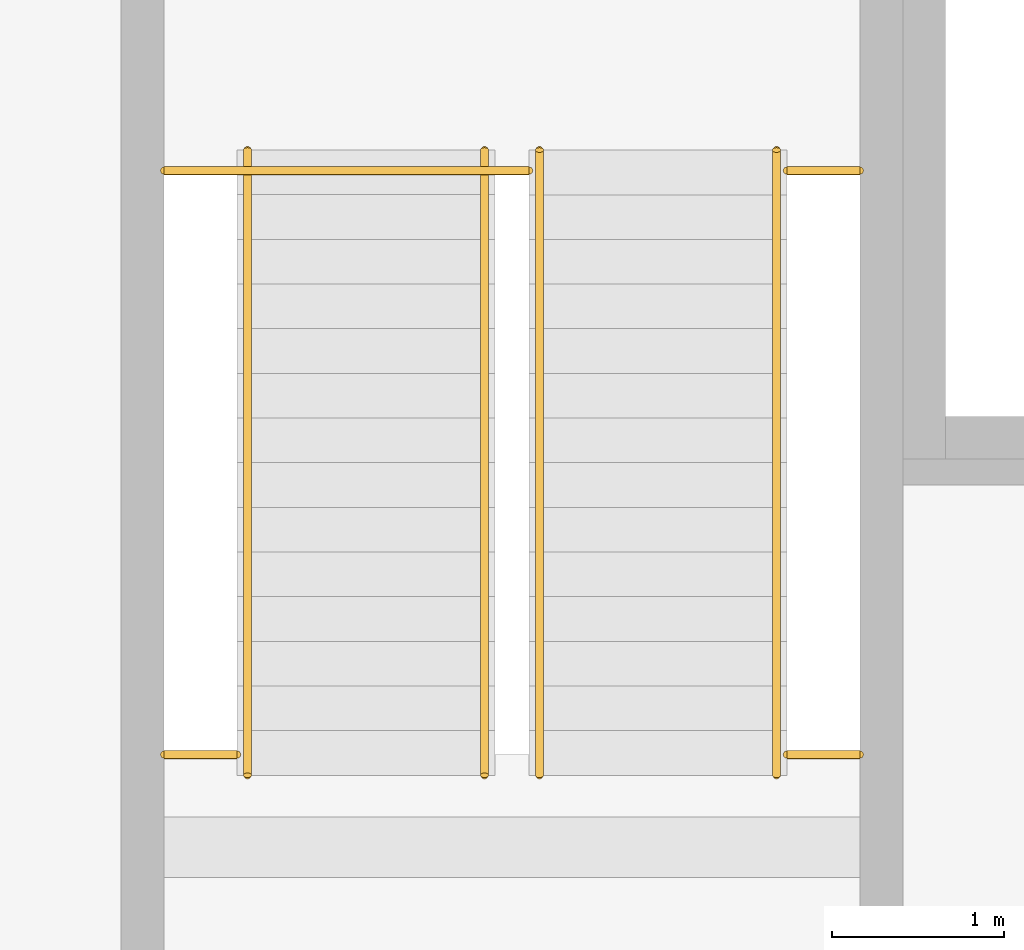
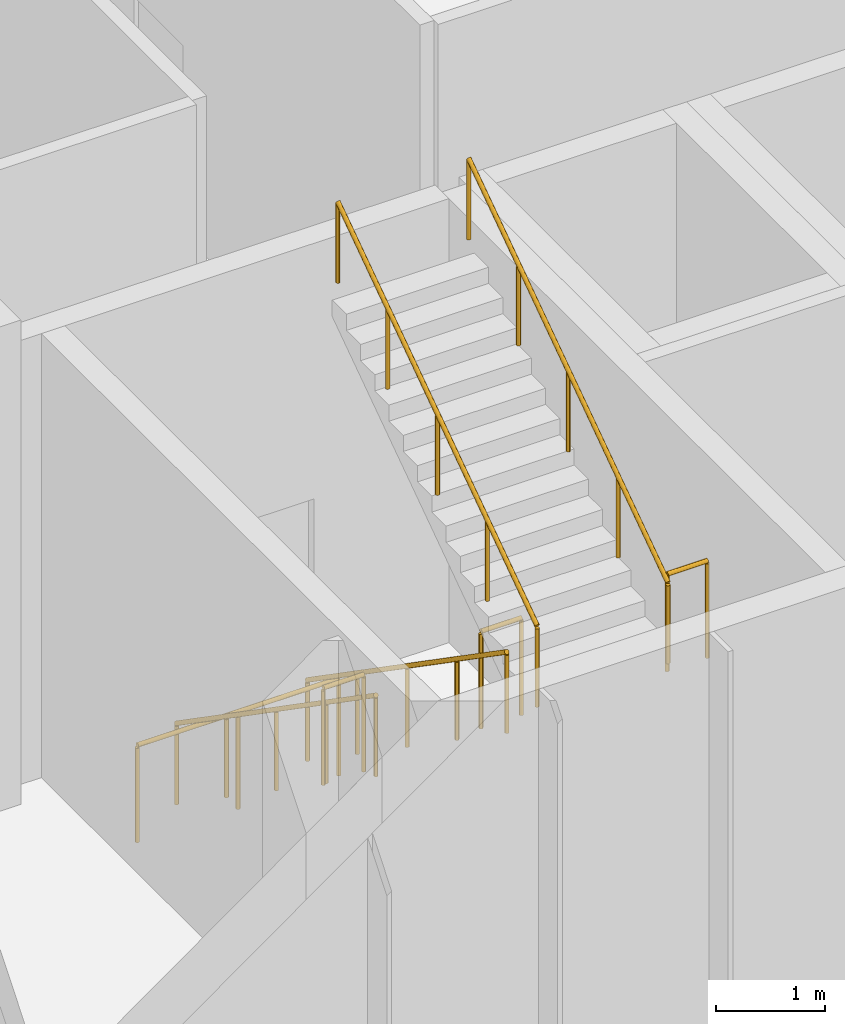
# One storey, part 36 of 38: 8 railings.
"""IFC4 building model written with IfcOpenShell, lengths in metres."""

from ifc_helpers import new_model, si_unit, direction, frame, origin, origin_2d, place, context, subcontext, project, spatial, circle, extrude, material, type_object, element, save


model = new_model("IFC4")

# Units and contexts
model_context = context("Model", 3, precision=1e-05, world=origin(), true_north=direction((0.0, 1.0)))
body_context = subcontext(model_context, "Body", "Model", "MODEL_VIEW")
ifc_project = project(units=[si_unit("LENGTHUNIT", "METRE"), si_unit("AREAUNIT", "SQUARE_METRE"), si_unit("VOLUMEUNIT", "CUBIC_METRE"), si_unit("PLANEANGLEUNIT", "RADIAN"), si_unit("MASSUNIT", "GRAM", prefix="KILO")], contexts=[model_context])

# Site, building, storey
site_placement = place(None, origin())
site = spatial("IfcSite", under=ifc_project, at=site_placement, CompositionType="ELEMENT")
building_placement = place(site_placement, origin())
building = spatial("IfcBuilding", under=site, at=building_placement, Name="Basin Gate Institute", CompositionType="ELEMENT")
storey_placement = place(building_placement, frame((0.0, 0.0, 16.800048828125)))
storey = spatial("IfcBuildingStorey", under=building, at=storey_placement, Name="L03", CompositionType="ELEMENT", Elevation=16.800048828125)

# Railings
ifc_material_1 = material(Name="Stainless steel tube and glass infill", Category="steel")
railing_type_1 = type_object("IfcRailingType", Name="Block railing 1100", PredefinedType="GUARDRAIL", material=ifc_material_1)
railing_placement = place(storey_placement, frame((134.52490234375, 75.85498046875, 0.0)))
element("IfcRailing", 1, at=railing_placement, inside=storey, type_object=railing_type_1, material=ifc_material_1, Name="Guard stairwell ST-C3 L03", PredefinedType="GUARDRAIL", context=body_context, shape_type="SweptSolid", body=[
    extrude(circle(Radius=0.02392578125, at=origin_2d()), frame((0.0, 0.0, 1.076171875), z_axis=(1.0, 0.0, 0.0), x_axis=(0.0, 1.0, 0.0)), (0.0, 0.0, 1.0), 2.125),
    extrude(circle(Radius=0.02099609375, at=origin_2d()), origin(), (0.0, 0.0, 1.0), 1.052001953125),
    extrude(circle(Radius=0.02099609375, at=origin_2d()), frame((1.0625, 0.0, 0.0)), (0.0, 0.0, 1.0), 1.052001953125),
    extrude(circle(Radius=0.02099609375, at=origin_2d()), frame((2.125, 0.0, 0.0)), (0.0, 0.0, 1.0), 1.052001953125),
])
for number, where, name in (
    (2, (138.14990234375, 75.85498046875, 0.0), "Guard stairwell ST-C3 L03 east"),
    (3, (134.52490234375, 72.455078125, 2.699951171875), "Guard stair landing ST-C4 L03"),
    (4, (138.14990234375, 72.455078125, 2.699951171875), "Guard stair landing ST-C4 L03"),
):
    element("IfcRailing", number, at=place(storey_placement, frame(where)), inside=storey, type_object=railing_type_1, material=ifc_material_1, Name=name, PredefinedType="GUARDRAIL", context=body_context, shape_type="SweptSolid", body=[
        extrude(circle(Radius=0.02392578125, at=origin_2d()), frame((0.0, 0.0, 1.076171875), z_axis=(1.0, 0.0, 0.0), x_axis=(0.0, 1.0, 0.0)), (0.0, 0.0, 1.0), 0.425048828125),
        extrude(circle(Radius=0.02099609375, at=origin_2d()), origin(), (0.0, 0.0, 1.0), 1.052001953125),
        extrude(circle(Radius=0.02099609375, at=origin_2d()), frame((0.425048828125, 0.0, 0.0)), (0.0, 0.0, 1.0), 1.052001953125),
    ])
ifc_material_2 = material(Name="Stainless steel tube and glass infill", Category="steel")
railing_type_2 = type_object("IfcRailingType", Name="Block railing 920", PredefinedType="HANDRAIL", material=ifc_material_2)
for number, where, name in (
    (5, (135.010009765625, 75.97509765625, 0.179931640625), "Handrail ST-C4 flight 1"),
    (6, (136.389892578125, 75.97509765625, 0.179931640625), "Handrail ST-C4 flight 1"),
):
    element("IfcRailing", number, at=place(storey_placement, frame(where)), inside=storey, type_object=railing_type_2, material=ifc_material_2, Name=name, PredefinedType="HANDRAIL", context=body_context, shape_type="SweptSolid", body=[
        extrude(circle(Radius=0.02392578125, at=origin_2d()), frame((0.0, 0.0, 0.89599609375), z_axis=(0.0, -0.82220013233, 0.56919850878), x_axis=(1.0, 0.0, 0.0)), (0.0, 0.0, 1.0), 4.42724609375),
        extrude(circle(Radius=0.02099609375, at=origin_2d()), origin(), (0.0, 0.0, 1.0), 0.871826171875),
        extrude(circle(Radius=0.02099609375, at=origin_2d()), frame((0.0, -0.91015625, 0.6298828125)), (0.0, 0.0, 1.0), 0.871826171875),
        extrude(circle(Radius=0.02099609375, at=origin_2d()), frame((0.0, -1.820068359375, 1.260009765625)), (0.0, 0.0, 1.0), 0.871826171875),
        extrude(circle(Radius=0.02099609375, at=origin_2d()), frame((0.0, -2.72998046875, 1.89013671875)), (0.0, 0.0, 1.0), 0.871826171875),
        extrude(circle(Radius=0.02099609375, at=origin_2d()), frame((0.0, -3.64013671875, 2.52001953125)), (0.0, 0.0, 1.0), 0.871826171875),
    ])
for number, where, name in (
    (7, (136.7099609375, 72.3349609375, 2.8798828125), "Handrail ST-C4 flight 2"),
    (8, (138.090087890625, 72.3349609375, 2.8798828125), "Handrail ST-C4 flight 2"),
):
    element("IfcRailing", number, at=place(storey_placement, frame(where)), inside=storey, type_object=railing_type_2, material=ifc_material_2, Name=name, PredefinedType="HANDRAIL", context=body_context, shape_type="SweptSolid", body=[
        extrude(circle(Radius=0.02392578125, at=origin_2d()), frame((0.0, 0.0, 0.89599609375), z_axis=(0.0, 0.82220013233, 0.56919850878), x_axis=(-1.0, 0.0, 0.0)), (0.0, 0.0, 1.0), 4.42724609375),
        extrude(circle(Radius=0.02099609375, at=origin_2d()), origin(), (0.0, 0.0, 1.0), 0.871826171875),
        extrude(circle(Radius=0.02099609375, at=origin_2d()), frame((0.0, 0.91015625, 0.6298828125)), (0.0, 0.0, 1.0), 0.871826171875),
        extrude(circle(Radius=0.02099609375, at=origin_2d()), frame((0.0, 1.820068359375, 1.260009765625)), (0.0, 0.0, 1.0), 0.871826171875),
        extrude(circle(Radius=0.02099609375, at=origin_2d()), frame((0.0, 2.72998046875, 1.89013671875)), (0.0, 0.0, 1.0), 0.871826171875),
        extrude(circle(Radius=0.02099609375, at=origin_2d()), frame((0.0, 3.64013671875, 2.52001953125)), (0.0, 0.0, 1.0), 0.871826171875),
    ])

save(model, "model.ifc")
